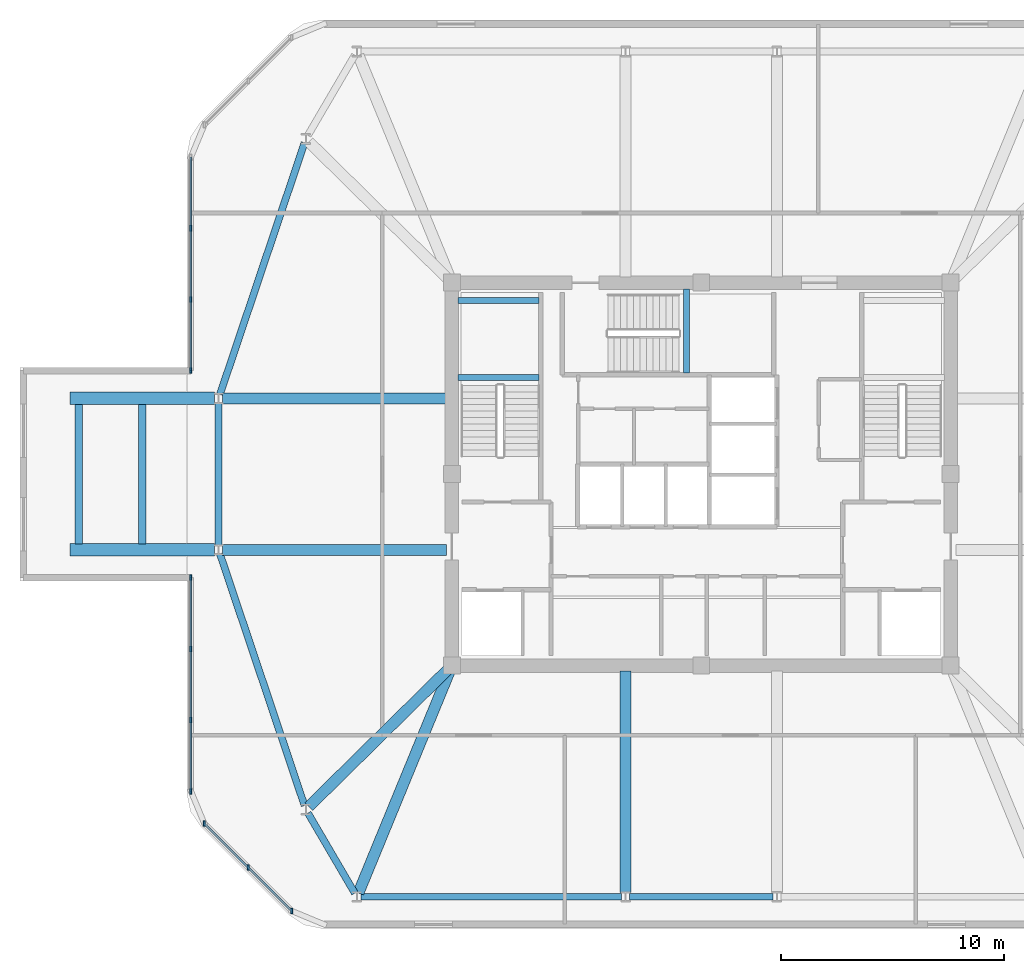
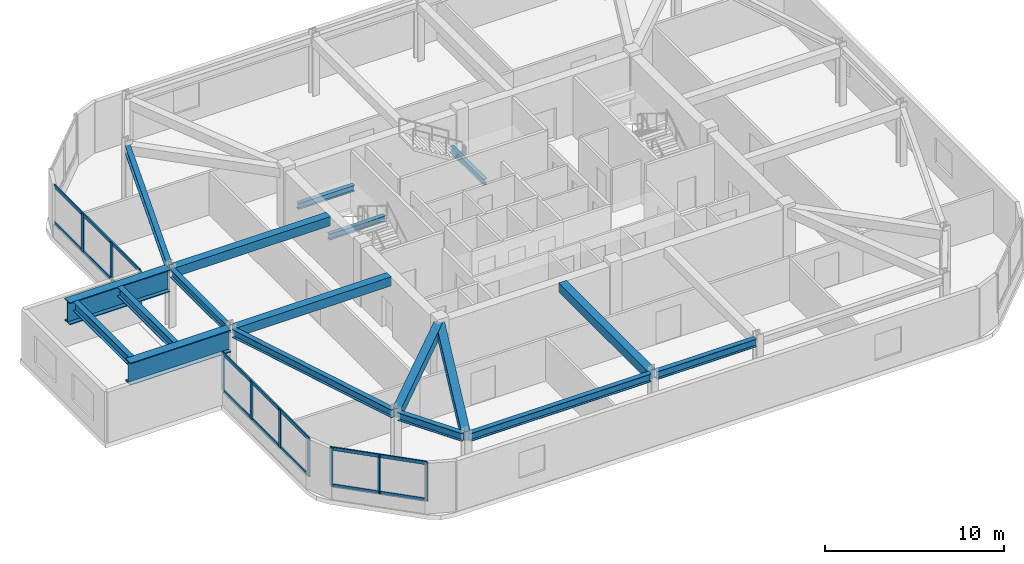
# One storey, part 2 of 9: 18 beams, 16 members, 3 elements without a shape of their own.
"""IFC4 building model written with IfcOpenShell, lengths in metres."""

import ifcopenshell
import ifcopenshell.guid

model = None  # the IFC model being written
_history = None  # IfcOwnerHistory: only IFC2X3 demands one
_inside = {}  # id of a spatial element -> (the spatial element, [elements in it])
_under = {}  # id of a project, library or spatial element -> (it, [spatial elements below it])
_declared = {}  # id of a project -> (the project, [libraries it declares])
_typed = {}  # id of a type object -> (the type object, [elements of that type])
_made_of = {}  # id of a material, layer set ... -> (it, [elements and type objects made of it])


def new_model(schema):
    """Start an empty IFC model of exactly this schema.

    Asked for "IFC4X3", IfcOpenShell would pick the latest addendum, in which some entities
    have other attributes; the version numbers below select the first issue.
    IFC2X3 requires an IfcOwnerHistory on every rooted entity: one is made here for all.
    """
    global model, _history
    if schema == "IFC4X3":
        model = ifcopenshell.file(schema_version=(4, 3, 0, 0))
    else:
        model = ifcopenshell.file(schema=schema)
    _inside.clear()
    _under.clear()
    _declared.clear()
    _typed.clear()
    _made_of.clear()
    _history = None
    if model.schema == "IFC2X3":
        org = make("IfcOrganization", Name="unknown")
        user = make(
            "IfcPersonAndOrganization",
            ThePerson=make("IfcPerson", FamilyName="unknown"),
            TheOrganization=org,
        )
        app = make(
            "IfcApplication",
            ApplicationDeveloper=org,
            Version="unknown",
            ApplicationFullName="unknown",
            ApplicationIdentifier="unknown",
        )
        _history = make(
            "IfcOwnerHistory",
            OwningUser=user,
            OwningApplication=app,
            ChangeAction="ADDED",
            CreationDate=0,
        )
    return model


def make(cls, **values):
    """One entity of the class cls with the attributes given. An attribute that is None is left unset."""
    return model.create_entity(
        cls, **{name: value for name, value in values.items() if value is not None}
    )


def rooted(cls, **values):
    """An entity with a GlobalId (a new one), such as an element, a storey or a relation."""
    return make(cls, GlobalId=ifcopenshell.guid.new(), OwnerHistory=_history, **values)


def si_unit(unit_type, name, prefix=None):
    """IfcSIUnit, for example si_unit("LENGTHUNIT", "METRE", prefix="MILLI")."""
    return make("IfcSIUnit", UnitType=unit_type, Prefix=prefix, Name=name)


def derived_unit(unit_type, elements):
    """IfcDerivedUnit: a product of units, each with its exponent."""
    return make(
        "IfcDerivedUnit",
        Elements=[
            make("IfcDerivedUnitElement", Unit=unit, Exponent=power)
            for unit, power in elements
        ],
        UnitType=unit_type,
    )


def assignment(units):
    """IfcUnitAssignment: the units of a project."""
    return None if units is None else make("IfcUnitAssignment", Units=units)


def point(xyz):
    """IfcCartesianPoint."""
    return None if xyz is None else make("IfcCartesianPoint", Coordinates=xyz)


def direction(xyz):
    """IfcDirection."""
    return None if xyz is None else make("IfcDirection", DirectionRatios=xyz)


def frame(location, z_axis=None, x_axis=None):
    """IfcAxis2Placement3D, a coordinate frame: its origin and axes. An axis left out is left unset."""
    return make(
        "IfcAxis2Placement3D",
        Location=point(location),
        Axis=direction(z_axis),
        RefDirection=direction(x_axis),
    )


def frame_2d(location, x_axis=None):
    """IfcAxis2Placement2D, a coordinate frame in the plane: its origin and x axis."""
    return make(
        "IfcAxis2Placement2D", Location=point(location), RefDirection=direction(x_axis)
    )


def origin():
    """The frame at (0, 0, 0) with its axes left unset."""
    return frame((0.0, 0.0, 0.0))


def origin_2d():
    """The frame at (0, 0) in the plane with its x axis left unset."""
    return frame_2d((0.0, 0.0))


def place(relative_to, where):
    """IfcLocalPlacement: puts the frame where relative to a parent placement (None: the world)."""
    return make(
        "IfcLocalPlacement", PlacementRelTo=relative_to, RelativePlacement=where
    )


def context(
    kind, dimensions, precision=None, world=None, true_north=None, identifier=None
):
    """IfcGeometricRepresentationContext, for example the 3D "Model" context."""
    return make(
        "IfcGeometricRepresentationContext",
        ContextIdentifier=identifier,
        ContextType=kind,
        CoordinateSpaceDimension=dimensions,
        Precision=precision,
        WorldCoordinateSystem=world,
        TrueNorth=true_north,
    )


def subcontext(parent, identifier, kind, view, scale=None):
    """IfcGeometricRepresentationSubContext, for example "Body" below "Model"."""
    return make(
        "IfcGeometricRepresentationSubContext",
        ContextIdentifier=identifier,
        ContextType=kind,
        ParentContext=parent,
        TargetScale=scale,
        TargetView=view,
    )


def project(units=None, contexts=None):
    """IfcProject with its units and contexts."""
    return rooted(
        "IfcProject",
        Name="project",
        RepresentationContexts=contexts,
        UnitsInContext=assignment(units),
    )


def spatial(cls, under=None, at=None, **own):
    """A site, building, storey or space (cls), placed at a placement, below another one or the project."""
    s = rooted(cls, ObjectPlacement=at, **own)
    if under is not None:
        _under.setdefault(under.id(), (under, []))[1].append(s)
    return s


def profile(cls, at=None, kind="AREA", **sizes):
    """A parametric profile (cls). Its sizes go by their IFC names, for example OverallWidth=200.0."""
    return make(cls, ProfileType=kind, Position=at, **sizes)


def rectangle(**sizes):
    """IfcRectangleProfileDef."""
    return profile("IfcRectangleProfileDef", **sizes)


def i_section(**sizes):
    """IfcIShapeProfileDef."""
    return profile("IfcIShapeProfileDef", **sizes)


def extrude(swept, where, along, depth):
    """IfcExtrudedAreaSolid: the profile swept, set in the frame where, extruded along a direction by depth."""
    return make(
        "IfcExtrudedAreaSolid",
        SweptArea=swept,
        Position=where,
        ExtrudedDirection=direction(along),
        Depth=depth,
    )


def shape(context_of_items, identifier, shape_type, items):
    """IfcShapeRepresentation: the items that make up one representation, for example the "Body"."""
    return make(
        "IfcShapeRepresentation",
        ContextOfItems=context_of_items,
        RepresentationIdentifier=identifier,
        RepresentationType=shape_type,
        Items=items,
    )


def material(Name=None, Category=None):
    """IfcMaterial."""
    return make("IfcMaterial", Name=Name, Category=Category)


def material_profile(
    of_material, cross_section, Name=None, Category=None, Priority=None
):
    """IfcMaterialProfile: a cross section and its material."""
    return make(
        "IfcMaterialProfile",
        Name=Name,
        Material=of_material,
        Profile=cross_section,
        Priority=Priority,
        Category=Category,
    )


def profile_set(profiles, Name=None, composite=None):
    """IfcMaterialProfileSet."""
    return make(
        "IfcMaterialProfileSet",
        Name=Name,
        MaterialProfiles=profiles,
        CompositeProfile=composite,
    )


def made_of(thing, what):
    """Note that an element or type object is made of a material, layer set ...; save() writes the relation."""
    if what is not None:
        _made_of.setdefault(what.id(), (what, []))[1].append(thing)
    return thing


def type_object(cls, material=None, **own):
    """A type object (cls), such as IfcWallType, which elements share."""
    return made_of(rooted(cls, **own), material)


def element(
    cls,
    number,
    at=None,
    inside=None,
    cuts=None,
    type_object=None,
    material=None,
    context=None,
    identifier="Body",
    shape_type=None,
    held_by="IfcProductDefinitionShape",
    body=None,
    shapes=None,
    **own,
):
    """One element of the class cls, such as IfcWall. Its Tag is "e" and its number.

    at: its placement. inside: the storey or other place that contains it. cuts: it is an
    opening in that element (IfcRelVoidsElement). A single representation is given by context,
    identifier, shape_type and body (its items); several are given by shapes. held_by: the class
    of the entity that holds the representations. save() writes the other relations.
    """
    e = rooted(cls, Tag="e%d" % number, ObjectPlacement=at, **own)
    if body is not None:
        shapes = [shape(context, identifier, shape_type, body)]
    if shapes is not None:
        e.Representation = make(held_by, Representations=shapes)
    if inside is not None:
        _inside.setdefault(inside.id(), (inside, []))[1].append(e)
    if cuts is not None:
        rooted(
            "IfcRelVoidsElement", RelatingBuildingElement=cuts, RelatedOpeningElement=e
        )
    if type_object is not None:
        _typed.setdefault(type_object.id(), (type_object, []))[1].append(e)
    return made_of(e, material)


def aggregate(whole, parts):
    """IfcRelAggregates: a whole, such as a stair, and the parts it consists of."""
    return rooted("IfcRelAggregates", RelatingObject=whole, RelatedObjects=parts)


def save(model, path):
    """Write the relations noted so far, then the file.

    IfcRelAggregates (storeys below a building ...), IfcRelContainedInSpatialStructure (elements
    in a storey), IfcRelDefinesByType, IfcRelAssociatesMaterial and IfcRelDeclares: one each for
    every whole, place, type object, material and project.
    """
    for whole, parts in _under.values():
        aggregate(whole, parts)
    for where, things in _inside.values():
        rooted(
            "IfcRelContainedInSpatialStructure",
            RelatedElements=things,
            RelatingStructure=where,
        )
    for kind, things in _typed.values():
        rooted("IfcRelDefinesByType", RelatedObjects=things, RelatingType=kind)
    for what, things in _made_of.values():
        rooted("IfcRelAssociatesMaterial", RelatedObjects=things, RelatingMaterial=what)
    for by, libraries in _declared.values():
        rooted("IfcRelDeclares", RelatingContext=by, RelatedDefinitions=libraries)
    model.write(path)


model = new_model("IFC4")

# Units and contexts
model_context = context("Model", 3, precision=1e-05, world=origin(), true_north=direction((0.0, 1.0)))
body_context = subcontext(model_context, "Body", "Model", "MODEL_VIEW")
ifc_project = project(units=[si_unit("LENGTHUNIT", "METRE"), si_unit("AREAUNIT", "SQUARE_METRE"), si_unit("VOLUMEUNIT", "CUBIC_METRE"), si_unit("PLANEANGLEUNIT", "RADIAN"), si_unit("MASSUNIT", "GRAM", prefix="KILO"), derived_unit("THERMALTRANSMITTANCEUNIT", [(si_unit("POWERUNIT", "WATT"), 1), (si_unit("LENGTHUNIT", "METRE"), -2), (si_unit("THERMODYNAMICTEMPERATUREUNIT", "KELVIN"), -1)])], contexts=[model_context])

# Site, building, storey
site_placement = place(None, origin())
site = spatial("IfcSite", under=ifc_project, at=site_placement, CompositionType="ELEMENT")
building_placement = place(site_placement, origin())
building = spatial("IfcBuilding", under=site, at=building_placement, Name="Koralith Skygarden Medical Center", CompositionType="ELEMENT")
storey_placement = place(building_placement, frame((0.0, 0.0, 290.340087890625)))
storey = spatial("IfcBuildingStorey", under=building, at=storey_placement, Name="L75", CompositionType="ELEMENT", Elevation=290.340087890625)

# Curtain wall, members
ifc_material_1 = material(Name="Clear Laminated Glass", Category="glass")
curtain_wall_type = type_object("IfcCurtainWallType", Name="CW-8 Crown Lookout Low-Iron Curtain Wall", PredefinedType="NOTDEFINED", material=ifc_material_1)
curtain_wall_1_placement = place(storey_placement, origin())
curtain_wall_1 = element("IfcCurtainWall", 1, at=curtain_wall_1_placement, inside=storey, type_object=curtain_wall_type, Name="Curtain Wall CW-L75-W-N", PredefinedType="NOTDEFINED")
ifc_material_2 = material(Name="Aluminium 6063-T6", Category="aluminium")
ifc_material_profile_1 = material_profile(ifc_material_2, rectangle(XDim=0.089111328125, YDim=0.25, at=origin_2d()), Name="MUL89X250")
ifc_profile_set_1 = profile_set([ifc_material_profile_1], Name="Aluminium 6063-T6")
member_type_1 = type_object("IfcMemberType", Name="CW-8 Extruded Mullion 89x250", PredefinedType="MULLION", material=ifc_profile_set_1)
member_1_placement = place(storey_placement, frame((14.080078125, 36.947021484375, 0.849853515625), z_axis=(0.0, 0.0, 1.0), x_axis=(1.0, 0.0, 0.0)))
member_1 = element("IfcMember", 2, at=member_1_placement, type_object=member_type_1, Name="CW-L75-W-N Mullion 2", PredefinedType="MULLION", context=body_context, shape_type="SweptSolid", body=[
    extrude(rectangle(XDim=0.089111328125, YDim=0.25, at=origin_2d()), origin(), (0.0, 0.0, 1.0), 2.610107421875),
])
member_2_placement = place(storey_placement, frame((14.080078125, 33.748046875, 0.849853515625), z_axis=(0.0, 0.0, 1.0), x_axis=(1.0, 0.0, 0.0)))
member_2 = element("IfcMember", 3, at=member_2_placement, type_object=member_type_1, Name="CW-L75-W-N Mullion 3", PredefinedType="MULLION", context=body_context, shape_type="SweptSolid", body=[
    extrude(rectangle(XDim=0.089111328125, YDim=0.25, at=origin_2d()), origin(), (0.0, 0.0, 1.0), 2.610107421875),
])
member_3_placement = place(storey_placement, frame((14.080078125, 30.550048828125, 0.849853515625), z_axis=(0.0, 0.0, 1.0), x_axis=(1.0, 0.0, 0.0)))
member_3 = element("IfcMember", 4, at=member_3_placement, type_object=member_type_1, Name="CW-L75-W-N Mullion 4", PredefinedType="MULLION", context=body_context, shape_type="SweptSolid", body=[
    extrude(rectangle(XDim=0.089111328125, YDim=0.25, at=origin_2d()), origin(), (0.0, 0.0, 1.0), 2.610107421875),
])

curtain_wall_2_placement = place(storey_placement, origin())
curtain_wall_2 = element("IfcCurtainWall", 5, at=curtain_wall_2_placement, inside=storey, type_object=curtain_wall_type, Name="Curtain Wall CW-L75-W-S", PredefinedType="NOTDEFINED")
member_4_placement = place(storey_placement, frame((14.080078125, 21.25, 0.849853515625), z_axis=(0.0, 0.0, 1.0), x_axis=(1.0, 0.0, 0.0)))
member_4 = element("IfcMember", 6, at=member_4_placement, type_object=member_type_1, Name="CW-L75-W-S Mullion 1", PredefinedType="MULLION", context=body_context, shape_type="SweptSolid", body=[
    extrude(rectangle(XDim=0.089111328125, YDim=0.25, at=origin_2d()), origin(), (0.0, 0.0, 1.0), 2.610107421875),
])
member_5_placement = place(storey_placement, frame((14.080078125, 18.052001953125, 0.849853515625), z_axis=(0.0, 0.0, 1.0), x_axis=(1.0, 0.0, 0.0)))
member_5 = element("IfcMember", 7, at=member_5_placement, type_object=member_type_1, Name="CW-L75-W-S Mullion 2", PredefinedType="MULLION", context=body_context, shape_type="SweptSolid", body=[
    extrude(rectangle(XDim=0.089111328125, YDim=0.25, at=origin_2d()), origin(), (0.0, 0.0, 1.0), 2.610107421875),
])
member_6_placement = place(storey_placement, frame((14.080078125, 14.85302734375, 0.849853515625), z_axis=(0.0, 0.0, 1.0), x_axis=(1.0, 0.0, 0.0)))
member_6 = element("IfcMember", 8, at=member_6_placement, type_object=member_type_1, Name="CW-L75-W-S Mullion 3", PredefinedType="MULLION", context=body_context, shape_type="SweptSolid", body=[
    extrude(rectangle(XDim=0.089111328125, YDim=0.25, at=origin_2d()), origin(), (0.0, 0.0, 1.0), 2.610107421875),
])
member_7_placement = place(storey_placement, frame((14.080078125, 11.655029296875, 0.849853515625), z_axis=(0.0, 0.0, 1.0), x_axis=(1.0, 0.0, 0.0)))
member_7 = element("IfcMember", 9, at=member_7_placement, type_object=member_type_1, Name="CW-L75-W-S Mullion 4", PredefinedType="MULLION", context=body_context, shape_type="SweptSolid", body=[
    extrude(rectangle(XDim=0.089111328125, YDim=0.25, at=origin_2d()), origin(), (0.0, 0.0, 1.0), 2.610107421875),
])

curtain_wall_3_placement = place(storey_placement, origin())
curtain_wall_3 = element("IfcCurtainWall", 10, at=curtain_wall_3_placement, inside=storey, type_object=curtain_wall_type, Name="Curtain Wall CW-L75-SW", PredefinedType="NOTDEFINED")
member_8_placement = place(storey_placement, frame((14.680908203125, 10.2041015625, 0.849853515625), z_axis=(0.0, 0.0, 1.0), x_axis=(1.0, 0.0, 0.0)))
member_8 = element("IfcMember", 11, at=member_8_placement, type_object=member_type_1, Name="CW-L75-SW Mullion 1", PredefinedType="MULLION", context=body_context, shape_type="SweptSolid", body=[
    extrude(rectangle(XDim=0.089111328125, YDim=0.25, at=origin_2d()), origin(), (0.0, 0.0, 1.0), 2.610107421875),
])
member_9_placement = place(storey_placement, frame((16.64208984375, 8.241943359375, 0.849853515625), z_axis=(0.0, 0.0, 1.0), x_axis=(1.0, 0.0, 0.0)))
member_9 = element("IfcMember", 12, at=member_9_placement, type_object=member_type_1, Name="CW-L75-SW Mullion 2", PredefinedType="MULLION", context=body_context, shape_type="SweptSolid", body=[
    extrude(rectangle(XDim=0.089111328125, YDim=0.25, at=origin_2d()), origin(), (0.0, 0.0, 1.0), 2.610107421875),
])
member_10_placement = place(storey_placement, frame((18.60400390625, 6.281005859375, 0.849853515625), z_axis=(0.0, 0.0, 1.0), x_axis=(1.0, 0.0, 0.0)))
member_10 = element("IfcMember", 13, at=member_10_placement, type_object=member_type_1, Name="CW-L75-SW Mullion 3", PredefinedType="MULLION", context=body_context, shape_type="SweptSolid", body=[
    extrude(rectangle(XDim=0.089111328125, YDim=0.25, at=origin_2d()), origin(), (0.0, 0.0, 1.0), 2.610107421875),
])

# Member
ifc_material_profile_2 = material_profile(ifc_material_2, rectangle(XDim=0.083984375, YDim=0.22509765625, at=origin_2d()), Name="TRN84X225")
ifc_profile_set_2 = profile_set([ifc_material_profile_2], Name="Aluminium 6063-T6")
member_type_2 = type_object("IfcMemberType", Name="CW-8 Thermal Transom 84x225", PredefinedType="USERDEFINED", material=ifc_profile_set_2)
member_11_placement = place(storey_placement, frame((14.080078125, 40.14501953125, 0.89990234375), z_axis=(0.0, -1.0, 0.0), x_axis=(1.0, 0.0, 0.0)))
member_11 = element("IfcMember", 14, at=member_11_placement, type_object=member_type_2, Name="CW-L75-W-N Transom 1", ObjectType="TRANSOM", PredefinedType="USERDEFINED", context=body_context, shape_type="SweptSolid", body=[
    extrude(rectangle(XDim=0.083984375, YDim=0.22509765625, at=origin_2d()), origin(), (0.0, 0.0, 1.0), 9.594970703125),
])

member_12_placement = place(storey_placement, frame((14.080078125, 40.14501953125, 3.409912109375), z_axis=(0.0, -1.0, 0.0), x_axis=(1.0, 0.0, 0.0)))
member_12 = element("IfcMember", 15, at=member_12_placement, type_object=member_type_2, Name="CW-L75-W-N Transom 2", ObjectType="TRANSOM", PredefinedType="USERDEFINED", context=body_context, shape_type="SweptSolid", body=[
    extrude(rectangle(XDim=0.083984375, YDim=0.22509765625, at=origin_2d()), origin(), (0.0, 0.0, 1.0), 9.594970703125),
])

aggregate(curtain_wall_1, [member_1, member_2, member_3, member_11, member_12])

member_13_placement = place(storey_placement, frame((14.080078125, 21.25, 0.89990234375), z_axis=(0.0, -1.0, 0.0), x_axis=(1.0, 0.0, 0.0)))
member_13 = element("IfcMember", 16, at=member_13_placement, type_object=member_type_2, Name="CW-L75-W-S Transom 1", ObjectType="TRANSOM", PredefinedType="USERDEFINED", context=body_context, shape_type="SweptSolid", body=[
    extrude(rectangle(XDim=0.083984375, YDim=0.22509765625, at=origin_2d()), origin(), (0.0, 0.0, 1.0), 9.594970703125),
])

member_14_placement = place(storey_placement, frame((14.080078125, 21.25, 3.409912109375), z_axis=(0.0, -1.0, 0.0), x_axis=(1.0, 0.0, 0.0)))
member_14 = element("IfcMember", 17, at=member_14_placement, type_object=member_type_2, Name="CW-L75-W-S Transom 2", ObjectType="TRANSOM", PredefinedType="USERDEFINED", context=body_context, shape_type="SweptSolid", body=[
    extrude(rectangle(XDim=0.083984375, YDim=0.22509765625, at=origin_2d()), origin(), (0.0, 0.0, 1.0), 9.594970703125),
])

aggregate(curtain_wall_2, [member_4, member_5, member_6, member_7, member_13, member_14])

member_15_placement = place(storey_placement, frame((14.680908203125, 10.2041015625, 0.89990234375), z_axis=(0.707106781187, -0.707106781187, 0.0), x_axis=(0.707106781187, 0.707106781187, 0.0)))
member_15 = element("IfcMember", 18, at=member_15_placement, type_object=member_type_2, Name="CW-L75-SW Transom 1", ObjectType="TRANSOM", PredefinedType="USERDEFINED", context=body_context, shape_type="SweptSolid", body=[
    extrude(rectangle(XDim=0.083984375, YDim=0.22509765625, at=origin_2d()), origin(), (0.0, 0.0, 1.0), 5.548095703125),
])

member_16_placement = place(storey_placement, frame((14.680908203125, 10.2041015625, 3.409912109375), z_axis=(0.707106781187, -0.707106781187, 0.0), x_axis=(0.707106781187, 0.707106781187, 0.0)))
member_16 = element("IfcMember", 19, at=member_16_placement, type_object=member_type_2, Name="CW-L75-SW Transom 2", ObjectType="TRANSOM", PredefinedType="USERDEFINED", context=body_context, shape_type="SweptSolid", body=[
    extrude(rectangle(XDim=0.083984375, YDim=0.22509765625, at=origin_2d()), origin(), (0.0, 0.0, 1.0), 5.548095703125),
])

aggregate(curtain_wall_3, [member_8, member_9, member_10, member_15, member_16])

# Beams
ifc_material_3 = material(Name="Steel ASTM A992 Grade 50", Category="steel")
ifc_material_profile_3 = material_profile(ifc_material_3, i_section(OverallWidth=0.31201171875, OverallDepth=0.54296875, WebThickness=0.0126953125, FlangeThickness=0.020263671875, at=origin_2d()), Name="W21X101")
ifc_profile_set_3 = profile_set([ifc_material_profile_3], Name="Steel ASTM A992 Grade 50")
beam_type_1 = type_object("IfcBeamType", Name="Canopy Ring Beam W21X101", PredefinedType="SPANDREL", material=ifc_profile_set_3)
beam_1_placement = place(storey_placement, frame((15.37890625, 22.324951171875, 3.7490234375), z_axis=(0.318639095106, -0.947876113778, 0.0), x_axis=(0.947876113778, 0.318639095106, 0.0)))
element("IfcBeam", 20, at=beam_1_placement, inside=storey, type_object=beam_type_1, Name="L75 Perimeter Spandrel Beam SP-01", PredefinedType="SPANDREL", context=body_context, shape_type="SweptSolid", body=[
    extrude(i_section(OverallWidth=0.31201171875, OverallDepth=0.54296875, WebThickness=0.0126953125, FlangeThickness=0.020263671875, at=origin_2d()), origin(), (0.0, 0.0, 1.0), 11.931884765625),
])
beam_2_placement = place(storey_placement, frame((19.3330078125, 10.679931640625, 3.7490234375), z_axis=(0.504951618525, -0.863147648406, 0.0), x_axis=(0.863147648406, 0.504951618525, 0.0)))
element("IfcBeam", 21, at=beam_2_placement, inside=storey, type_object=beam_type_1, Name="L75 Perimeter Spandrel Beam SP-02", PredefinedType="SPANDREL", context=body_context, shape_type="SweptSolid", body=[
    extrude(i_section(OverallWidth=0.31201171875, OverallDepth=0.54296875, WebThickness=0.0126953125, FlangeThickness=0.020263671875, at=origin_2d()), origin(), (0.0, 0.0, 1.0), 4.170654296875),
])
beam_3_placement = place(storey_placement, frame((21.717041015625, 6.919921875, 3.7490234375), z_axis=(1.0, 0.0, 0.0), x_axis=(0.0, 1.0, 0.0)))
element("IfcBeam", 22, at=beam_3_placement, inside=storey, type_object=beam_type_1, Name="L75 Perimeter Spandrel Beam SP-03", PredefinedType="SPANDREL", context=body_context, shape_type="SweptSolid", body=[
    extrude(i_section(OverallWidth=0.31201171875, OverallDepth=0.54296875, WebThickness=0.0126953125, FlangeThickness=0.020263671875, at=origin_2d()), origin(), (0.0, 0.0, 1.0), 11.697998046875),
])
beam_4_placement = place(storey_placement, frame((33.784912109375, 6.919921875, 3.7490234375), z_axis=(1.0, 0.0, 0.0), x_axis=(0.0, 1.0, 0.0)))
element("IfcBeam", 23, at=beam_4_placement, inside=storey, type_object=beam_type_1, Name="L75 Perimeter Spandrel Beam SP-04", PredefinedType="SPANDREL", context=body_context, shape_type="SweptSolid", body=[
    extrude(i_section(OverallWidth=0.31201171875, OverallDepth=0.54296875, WebThickness=0.0126953125, FlangeThickness=0.020263671875, at=origin_2d()), origin(), (0.0, 0.0, 1.0), 6.43017578125),
])
beam_5_placement = place(storey_placement, frame((19.180908203125, 40.784912109375, 3.7490234375), z_axis=(-0.318645275061, -0.947874036294, 0.0), x_axis=(0.947874036294, -0.318645275061, 0.0)))
element("IfcBeam", 24, at=beam_5_placement, inside=storey, type_object=beam_type_1, Name="L75 Perimeter Spandrel Beam SP-15", PredefinedType="SPANDREL", context=body_context, shape_type="SweptSolid", body=[
    extrude(i_section(OverallWidth=0.31201171875, OverallDepth=0.54296875, WebThickness=0.0126953125, FlangeThickness=0.020263671875, at=origin_2d()), origin(), (0.0, 0.0, 1.0), 11.931884765625),
])
beam_6_placement = place(storey_placement, frame((15.320068359375, 29.114990234375, 3.7490234375), z_axis=(0.0, -1.0, 0.0), x_axis=(1.0, 0.0, 0.0)))
element("IfcBeam", 25, at=beam_6_placement, inside=storey, type_object=beam_type_1, Name="L75 Perimeter Spandrel Beam SP-16", PredefinedType="SPANDREL", context=body_context, shape_type="SweptSolid", body=[
    extrude(i_section(OverallWidth=0.31201171875, OverallDepth=0.54296875, WebThickness=0.0126953125, FlangeThickness=0.020263671875, at=origin_2d()), origin(), (0.0, 0.0, 1.0), 6.429931640625),
])
ifc_material_profile_4 = material_profile(ifc_material_3, i_section(OverallWidth=0.56005859375, OverallDepth=1.52001953125, WebThickness=0.030029296875, FlangeThickness=0.054931640625, at=origin_2d()), Name="BG1520X560X55X30")
ifc_profile_set_4 = profile_set([ifc_material_profile_4], Name="Steel ASTM A992 Grade 50")
beam_type_2 = type_object("IfcBeamType", Name="Cantilever Crown Lounge Girder BG1520", PredefinedType="BEAM", material=ifc_profile_set_4)
for number, where, z_axis, x_axis, name in (
    (26, (15.14501953125, 22.5, 3.280029296875), (-1.0, 0.0, 0.0), (0.0, -1.0, 0.0), "L76 LNGERF Primary Cantilever Girder 1"),
    (27, (15.14501953125, 29.300048828125, 3.280029296875), (-1.0, 0.0, 0.0), (0.0, -1.0, 0.0), "L76 LNGERF Primary Cantilever Girder 2"),
):
    element("IfcBeam", number, at=place(storey_placement, frame(where, z_axis=z_axis, x_axis=x_axis)), inside=storey, type_object=beam_type_2, Name=name, PredefinedType="BEAM", context=body_context, shape_type="SweptSolid", body=[
        extrude(i_section(OverallWidth=0.56005859375, OverallDepth=1.52001953125, WebThickness=0.030029296875, FlangeThickness=0.054931640625, at=origin_2d()), origin(), (0.0, 0.0, 1.0), 6.5),
    ])
ifc_material_profile_5 = material_profile(ifc_material_3, i_section(OverallWidth=0.326904296875, OverallDepth=0.6220703125, WebThickness=0.015380859375, FlangeThickness=0.0244140625, at=origin_2d()), Name="W24X131")
ifc_profile_set_5 = profile_set([ifc_material_profile_5], Name="Steel ASTM A992 Grade 50")
beam_type_3 = type_object("IfcBeamType", Name="Cantilever Tie Beam W24X131", PredefinedType="BEAM", material=ifc_profile_set_5)
for number, where, z_axis, x_axis, name in (
    (28, (11.89501953125, 22.77001953125, 3.72900390625), (0.0, 1.0, 0.0), (-1.0, 0.0, 0.0), "L76 LNGERF Cantilever Tie Beam 1"),
    (29, (9.034912109375, 22.77001953125, 3.72900390625), (0.0, 1.0, 0.0), (-1.0, 0.0, 0.0), "L76 LNGERF Cantilever Tie Beam 2"),
):
    element("IfcBeam", number, at=place(storey_placement, frame(where, z_axis=z_axis, x_axis=x_axis)), inside=storey, type_object=beam_type_3, Name=name, PredefinedType="BEAM", context=body_context, shape_type="SweptSolid", body=[
        extrude(i_section(OverallWidth=0.326904296875, OverallDepth=0.6220703125, WebThickness=0.015380859375, FlangeThickness=0.0244140625, at=origin_2d()), origin(), (0.0, 0.0, 1.0), 6.260009765625),
    ])
ifc_material_profile_6 = material_profile(ifc_material_3, i_section(OverallWidth=0.260009765625, OverallDepth=0.4150390625, WebThickness=0.010009765625, FlangeThickness=0.016845703125, at=origin_2d()), Name="W16X67")
ifc_profile_set_6 = profile_set([ifc_material_profile_6], Name="Steel ASTM A992 Grade 50")
beam_type_4 = type_object("IfcBeamType", Name="Clinical Floor Joist W16X67", PredefinedType="JOIST", material=ifc_profile_set_6)
for number, where, z_axis, x_axis, name in (
    (30, (26.080078125, 30.239990234375, 1.7529296875), (1.0, 0.0, 0.0), (0.0, 1.0, 0.0), "L75 Stair ST1 Half-Landing Support Beam 1A"),
    (31, (26.080078125, 33.699951171875, 1.7529296875), (1.0, 0.0, 0.0), (0.0, 1.0, 0.0), "L75 Stair ST1 Half-Landing Support Beam 1B"),
):
    element("IfcBeam", number, at=place(storey_placement, frame(where, z_axis=z_axis, x_axis=x_axis)), inside=storey, type_object=beam_type_4, Name=name, PredefinedType="JOIST", context=body_context, shape_type="SweptSolid", body=[
        extrude(i_section(OverallWidth=0.260009765625, OverallDepth=0.4150390625, WebThickness=0.010009765625, FlangeThickness=0.016845703125, at=origin_2d()), origin(), (0.0, 0.0, 1.0), 3.639892578125),
    ])
beam_7_placement = place(storey_placement, frame((36.340087890625, 30.43994140625, 1.7529296875), z_axis=(0.0, 1.0, 0.0), x_axis=(-1.0, 0.0, 0.0)))
element("IfcBeam", 32, at=beam_7_placement, inside=storey, type_object=beam_type_4, Name="L75 Stair ST3 Half-Landing Support Beam 1A", PredefinedType="JOIST", context=body_context, shape_type="SweptSolid", body=[
    extrude(i_section(OverallWidth=0.260009765625, OverallDepth=0.4150390625, WebThickness=0.010009765625, FlangeThickness=0.016845703125, at=origin_2d()), origin(), (0.0, 0.0, 1.0), 3.780029296875),
])
ifc_material_4 = material(Name="Concrete C45/55", Category="concrete")
ifc_material_profile_7 = material_profile(ifc_material_4, rectangle(XDim=0.5, YDim=0.6201171875, at=origin_2d()), Name="RCB500X620")
ifc_profile_set_7 = profile_set([ifc_material_profile_7], Name="Concrete C45/55")
beam_type_5 = type_object("IfcBeamType", Name="Upper Radial Collector Beam RCB500X620", PredefinedType="BEAM", material=ifc_profile_set_7)
beam_8_placement = place(storey_placement, frame((25.550048828125, 22.5, 3.7099609375), z_axis=(-1.0, 0.0, 0.0), x_axis=(0.0, -1.0, 0.0)))
element("IfcBeam", 33, at=beam_8_placement, inside=storey, type_object=beam_type_5, Name="L75 Radial Collector Beam RB-01", PredefinedType="BEAM", context=body_context, shape_type="SweptSolid", body=[
    extrude(rectangle(XDim=0.5, YDim=0.6201171875, at=origin_2d()), origin(), (0.0, 0.0, 1.0), 10.045166015625),
])
beam_9_placement = place(storey_placement, frame((25.6220703125, 17.125, 3.7099609375), z_axis=(-0.712499385168, -0.701672734354, 0.0), x_axis=(0.701672734354, -0.712499385168, 0.0)))
element("IfcBeam", 34, at=beam_9_placement, inside=storey, type_object=beam_type_5, Name="L75 Radial Collector Beam RB-02", PredefinedType="BEAM", context=body_context, shape_type="SweptSolid", body=[
    extrude(rectangle(XDim=0.5, YDim=0.6201171875, at=origin_2d()), origin(), (0.0, 0.0, 1.0), 8.77197265625),
])
beam_10_placement = place(storey_placement, frame((25.705078125, 17.069091796875, 3.7099609375), z_axis=(-0.380308155568, -0.924859830898, 0.0), x_axis=(0.924859830898, -0.380308155568, 0.0)))
element("IfcBeam", 35, at=beam_10_placement, inside=storey, type_object=beam_type_5, Name="L75 Radial Collector Beam RB-03", PredefinedType="BEAM", context=body_context, shape_type="SweptSolid", body=[
    extrude(rectangle(XDim=0.5, YDim=0.6201171875, at=origin_2d()), origin(), (0.0, 0.0, 1.0), 10.78857421875),
])
beam_11_placement = place(storey_placement, frame((33.60009765625, 17.050048828125, 3.7099609375), z_axis=(0.0, -1.0, 0.0), x_axis=(1.0, 0.0, 0.0)))
element("IfcBeam", 36, at=beam_11_placement, inside=storey, type_object=beam_type_5, Name="L75 Radial Collector Beam RB-04", PredefinedType="BEAM", context=body_context, shape_type="SweptSolid", body=[
    extrude(rectangle(XDim=0.5, YDim=0.6201171875, at=origin_2d()), origin(), (0.0, 0.0, 1.0), 9.945068359375),
])
beam_12_placement = place(storey_placement, frame((25.550048828125, 29.300048828125, 3.7099609375), z_axis=(-1.0, 0.0, 0.0), x_axis=(0.0, -1.0, 0.0)))
element("IfcBeam", 37, at=beam_12_placement, inside=storey, type_object=beam_type_5, Name="L75 Radial Collector Beam RB-16", PredefinedType="BEAM", context=body_context, shape_type="SweptSolid", body=[
    extrude(rectangle(XDim=0.5, YDim=0.6201171875, at=origin_2d()), origin(), (0.0, 0.0, 1.0), 10.045166015625),
])

save(model, "model.ifc")
